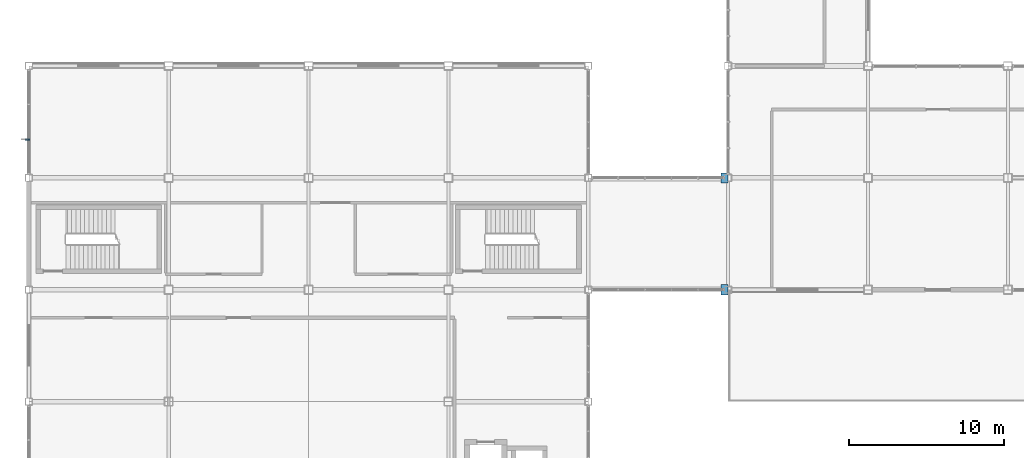
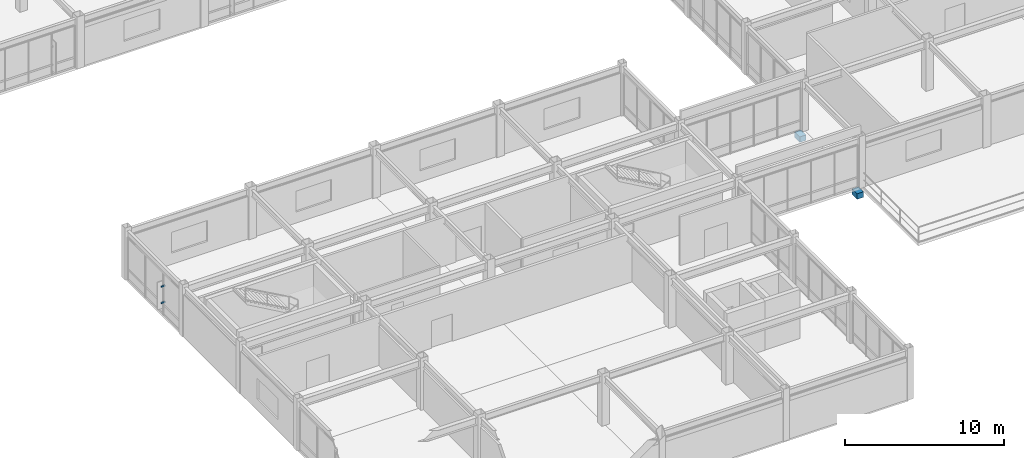
# One storey, part 108 of 122: 4 discrete accessories.
"""IFC4 building model written with IfcOpenShell, lengths in metres."""

from ifc_helpers import new_model, si_unit, direction, frame, origin, origin_2d, place, context, subcontext, project, spatial, rectangle, extrude, material, type_object, element, save


model = new_model("IFC4")

# Units and contexts
model_context = context("Model", 3, precision=1e-05, world=origin(), true_north=direction((0.0, 1.0)))
body_context = subcontext(model_context, "Body", "Model", "MODEL_VIEW")
ifc_project = project(units=[si_unit("LENGTHUNIT", "METRE"), si_unit("AREAUNIT", "SQUARE_METRE"), si_unit("VOLUMEUNIT", "CUBIC_METRE"), si_unit("PLANEANGLEUNIT", "RADIAN"), si_unit("MASSUNIT", "GRAM", prefix="KILO")], contexts=[model_context])

# Site, building, storey
site_placement = place(None, origin())
site = spatial("IfcSite", under=ifc_project, at=site_placement, CompositionType="ELEMENT")
building_placement = place(site_placement, origin())
building = spatial("IfcBuilding", under=site, at=building_placement, Name="Kazanami Central Library", CompositionType="ELEMENT")
storey_placement = place(building_placement, frame((0.0, 0.0, 4.800048828125)))
storey = spatial("IfcBuildingStorey", under=building, at=storey_placement, Name="L02", CompositionType="ELEMENT", Elevation=4.800048828125)

# Discrete accessories
ifc_material = material(Name="Stainless Steel SUS304", Category="steel")
discrete_accessory_type_1 = type_object("IfcDiscreteAccessoryType", Name="ACC-BRK-1", PredefinedType="BRACKET", material=ifc_material)
for number, where, z_axis, x_axis, name in (
    (1, (-0.090087890625, 31.27490234375, 0.95751953125), (0.0, 0.0, 1.0), (0.0, 1.0, 0.0), "Solar Fin Outrigger Bracket L02 W-1-04.1.1"),
    (2, (-0.090087890625, 31.27490234375, 2.217529296875), (0.0, 0.0, 1.0), (0.0, 1.0, 0.0), "Solar Fin Outrigger Bracket L02 W-1-04.1.2"),
):
    element("IfcDiscreteAccessory", number, at=place(storey_placement, frame(where, z_axis=z_axis, x_axis=x_axis)), inside=storey, type_object=discrete_accessory_type_1, Name=name, PredefinedType="BRACKET", context=body_context, shape_type="SweptSolid", body=[
        extrude(rectangle(XDim=0.080078125, YDim=0.280029296875, at=origin_2d()), origin(), (0.0, 0.0, 1.0), 0.080078125),
    ])
discrete_accessory_type_2 = type_object("IfcDiscreteAccessoryType", Name="ACC-CRB-460", PredefinedType="BRACKET", material=ifc_material)
for number, where, z_axis, x_axis, name in (
    (3, (44.77001953125, 21.60009765625, -0.6650390625), (0.0, 0.0, 1.0), (1.0, 0.0, 0.0), "Link Bridge Corbel Seat and Elastomeric Sliding Bearing L02 WS-1"),
    (4, (44.77001953125, 28.800048828125, -0.6650390625), (0.0, 0.0, 1.0), (1.0, 0.0, 0.0), "Link Bridge Corbel Seat and Elastomeric Sliding Bearing L02 WS-2"),
):
    element("IfcDiscreteAccessory", number, at=place(storey_placement, frame(where, z_axis=z_axis, x_axis=x_axis)), inside=storey, type_object=discrete_accessory_type_2, Name=name, PredefinedType="BRACKET", context=body_context, shape_type="SweptSolid", body=[
        extrude(rectangle(XDim=0.4599609375, YDim=0.64990234375, at=origin_2d()), origin(), (0.0, 0.0, 1.0), 0.419921875),
    ])

save(model, "model.ifc")
